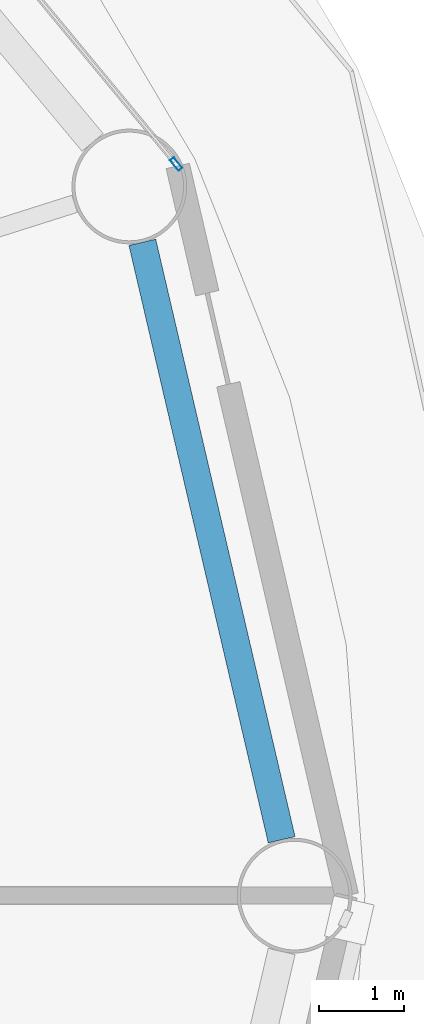
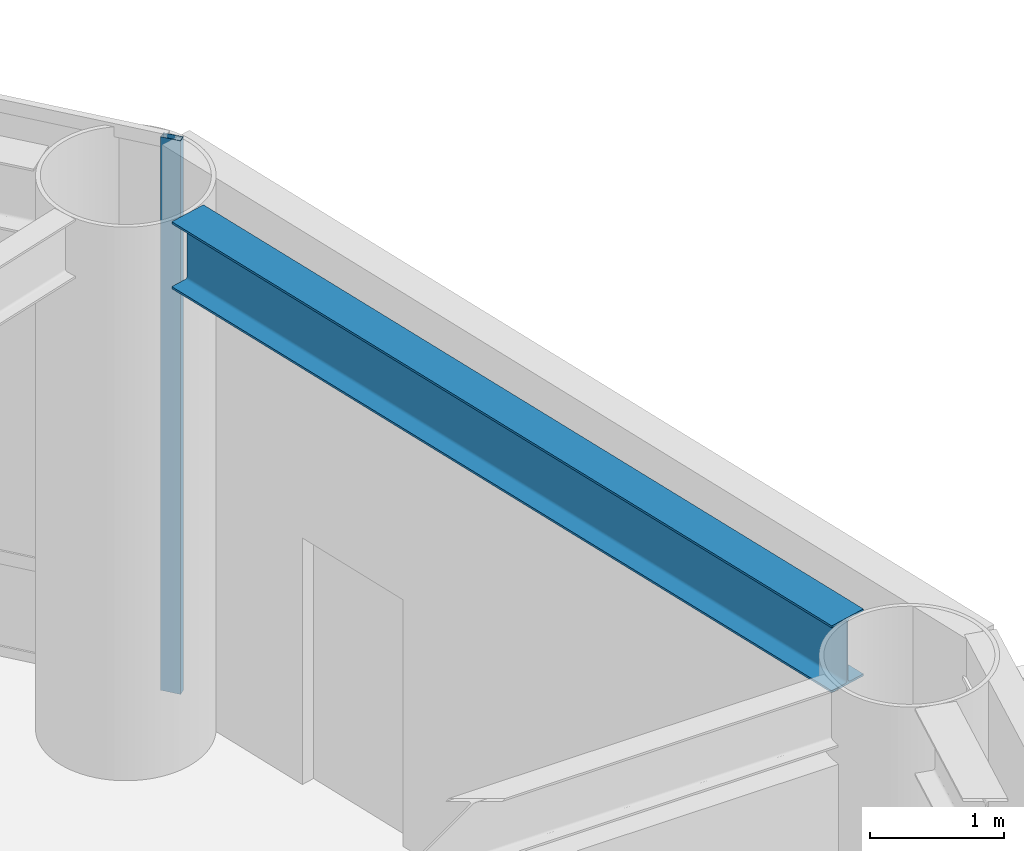
# One storey, part 9 of 25: 1 beam, 1 member, 1 element without a shape of its own.
"""IFC4 building model written with IfcOpenShell, lengths in metres."""

import ifcopenshell
import ifcopenshell.guid

model = None  # the IFC model being written
_history = None  # IfcOwnerHistory: only IFC2X3 demands one
_inside = {}  # id of a spatial element -> (the spatial element, [elements in it])
_under = {}  # id of a project, library or spatial element -> (it, [spatial elements below it])
_declared = {}  # id of a project -> (the project, [libraries it declares])
_typed = {}  # id of a type object -> (the type object, [elements of that type])
_made_of = {}  # id of a material, layer set ... -> (it, [elements and type objects made of it])


def new_model(schema):
    """Start an empty IFC model of exactly this schema.

    Asked for "IFC4X3", IfcOpenShell would pick the latest addendum, in which some entities
    have other attributes; the version numbers below select the first issue.
    IFC2X3 requires an IfcOwnerHistory on every rooted entity: one is made here for all.
    """
    global model, _history
    if schema == "IFC4X3":
        model = ifcopenshell.file(schema_version=(4, 3, 0, 0))
    else:
        model = ifcopenshell.file(schema=schema)
    _inside.clear()
    _under.clear()
    _declared.clear()
    _typed.clear()
    _made_of.clear()
    _history = None
    if model.schema == "IFC2X3":
        org = make("IfcOrganization", Name="unknown")
        user = make(
            "IfcPersonAndOrganization",
            ThePerson=make("IfcPerson", FamilyName="unknown"),
            TheOrganization=org,
        )
        app = make(
            "IfcApplication",
            ApplicationDeveloper=org,
            Version="unknown",
            ApplicationFullName="unknown",
            ApplicationIdentifier="unknown",
        )
        _history = make(
            "IfcOwnerHistory",
            OwningUser=user,
            OwningApplication=app,
            ChangeAction="ADDED",
            CreationDate=0,
        )
    return model


def make(cls, **values):
    """One entity of the class cls with the attributes given. An attribute that is None is left unset."""
    return model.create_entity(
        cls, **{name: value for name, value in values.items() if value is not None}
    )


def rooted(cls, **values):
    """An entity with a GlobalId (a new one), such as an element, a storey or a relation."""
    return make(cls, GlobalId=ifcopenshell.guid.new(), OwnerHistory=_history, **values)


def si_unit(unit_type, name, prefix=None):
    """IfcSIUnit, for example si_unit("LENGTHUNIT", "METRE", prefix="MILLI")."""
    return make("IfcSIUnit", UnitType=unit_type, Prefix=prefix, Name=name)


def assignment(units):
    """IfcUnitAssignment: the units of a project."""
    return None if units is None else make("IfcUnitAssignment", Units=units)


def point(xyz):
    """IfcCartesianPoint."""
    return None if xyz is None else make("IfcCartesianPoint", Coordinates=xyz)


def direction(xyz):
    """IfcDirection."""
    return None if xyz is None else make("IfcDirection", DirectionRatios=xyz)


def frame(location, z_axis=None, x_axis=None):
    """IfcAxis2Placement3D, a coordinate frame: its origin and axes. An axis left out is left unset."""
    return make(
        "IfcAxis2Placement3D",
        Location=point(location),
        Axis=direction(z_axis),
        RefDirection=direction(x_axis),
    )


def frame_2d(location, x_axis=None):
    """IfcAxis2Placement2D, a coordinate frame in the plane: its origin and x axis."""
    return make(
        "IfcAxis2Placement2D", Location=point(location), RefDirection=direction(x_axis)
    )


def origin():
    """The frame at (0, 0, 0) with its axes left unset."""
    return frame((0.0, 0.0, 0.0))


def origin_2d():
    """The frame at (0, 0) in the plane with its x axis left unset."""
    return frame_2d((0.0, 0.0))


def place(relative_to, where):
    """IfcLocalPlacement: puts the frame where relative to a parent placement (None: the world)."""
    return make(
        "IfcLocalPlacement", PlacementRelTo=relative_to, RelativePlacement=where
    )


def context(
    kind, dimensions, precision=None, world=None, true_north=None, identifier=None
):
    """IfcGeometricRepresentationContext, for example the 3D "Model" context."""
    return make(
        "IfcGeometricRepresentationContext",
        ContextIdentifier=identifier,
        ContextType=kind,
        CoordinateSpaceDimension=dimensions,
        Precision=precision,
        WorldCoordinateSystem=world,
        TrueNorth=true_north,
    )


def subcontext(parent, identifier, kind, view, scale=None):
    """IfcGeometricRepresentationSubContext, for example "Body" below "Model"."""
    return make(
        "IfcGeometricRepresentationSubContext",
        ContextIdentifier=identifier,
        ContextType=kind,
        ParentContext=parent,
        TargetScale=scale,
        TargetView=view,
    )


def project(units=None, contexts=None):
    """IfcProject with its units and contexts."""
    return rooted(
        "IfcProject",
        Name="project",
        RepresentationContexts=contexts,
        UnitsInContext=assignment(units),
    )


def spatial(cls, under=None, at=None, **own):
    """A site, building, storey or space (cls), placed at a placement, below another one or the project."""
    s = rooted(cls, ObjectPlacement=at, **own)
    if under is not None:
        _under.setdefault(under.id(), (under, []))[1].append(s)
    return s


def profile(cls, at=None, kind="AREA", **sizes):
    """A parametric profile (cls). Its sizes go by their IFC names, for example OverallWidth=200.0."""
    return make(cls, ProfileType=kind, Position=at, **sizes)


def hollow_rectangle(**sizes):
    """IfcRectangleHollowProfileDef."""
    return profile("IfcRectangleHollowProfileDef", **sizes)


def i_section(**sizes):
    """IfcIShapeProfileDef."""
    return profile("IfcIShapeProfileDef", **sizes)


def extrude(swept, where, along, depth):
    """IfcExtrudedAreaSolid: the profile swept, set in the frame where, extruded along a direction by depth."""
    return make(
        "IfcExtrudedAreaSolid",
        SweptArea=swept,
        Position=where,
        ExtrudedDirection=direction(along),
        Depth=depth,
    )


def shape(context_of_items, identifier, shape_type, items):
    """IfcShapeRepresentation: the items that make up one representation, for example the "Body"."""
    return make(
        "IfcShapeRepresentation",
        ContextOfItems=context_of_items,
        RepresentationIdentifier=identifier,
        RepresentationType=shape_type,
        Items=items,
    )


def material(Name=None, Category=None):
    """IfcMaterial."""
    return make("IfcMaterial", Name=Name, Category=Category)


def layer(
    of_material, thickness, ventilated=None, Name=None, Category=None, Priority=None
):
    """IfcMaterialLayer: one layer of a wall or slab, of a material (None: an air gap)."""
    return make(
        "IfcMaterialLayer",
        Material=of_material,
        LayerThickness=thickness,
        IsVentilated=ventilated,
        Name=Name,
        Category=Category,
        Priority=Priority,
    )


def layer_set(layers, Name=None):
    """IfcMaterialLayerSet."""
    return make("IfcMaterialLayerSet", MaterialLayers=layers, LayerSetName=Name)


def material_profile(
    of_material, cross_section, Name=None, Category=None, Priority=None
):
    """IfcMaterialProfile: a cross section and its material."""
    return make(
        "IfcMaterialProfile",
        Name=Name,
        Material=of_material,
        Profile=cross_section,
        Priority=Priority,
        Category=Category,
    )


def profile_set(profiles, Name=None, composite=None):
    """IfcMaterialProfileSet."""
    return make(
        "IfcMaterialProfileSet",
        Name=Name,
        MaterialProfiles=profiles,
        CompositeProfile=composite,
    )


def made_of(thing, what):
    """Note that an element or type object is made of a material, layer set ...; save() writes the relation."""
    if what is not None:
        _made_of.setdefault(what.id(), (what, []))[1].append(thing)
    return thing


def type_object(cls, material=None, **own):
    """A type object (cls), such as IfcWallType, which elements share."""
    return made_of(rooted(cls, **own), material)


def element(
    cls,
    number,
    at=None,
    inside=None,
    cuts=None,
    type_object=None,
    material=None,
    context=None,
    identifier="Body",
    shape_type=None,
    held_by="IfcProductDefinitionShape",
    body=None,
    shapes=None,
    **own,
):
    """One element of the class cls, such as IfcWall. Its Tag is "e" and its number.

    at: its placement. inside: the storey or other place that contains it. cuts: it is an
    opening in that element (IfcRelVoidsElement). A single representation is given by context,
    identifier, shape_type and body (its items); several are given by shapes. held_by: the class
    of the entity that holds the representations. save() writes the other relations.
    """
    e = rooted(cls, Tag="e%d" % number, ObjectPlacement=at, **own)
    if body is not None:
        shapes = [shape(context, identifier, shape_type, body)]
    if shapes is not None:
        e.Representation = make(held_by, Representations=shapes)
    if inside is not None:
        _inside.setdefault(inside.id(), (inside, []))[1].append(e)
    if cuts is not None:
        rooted(
            "IfcRelVoidsElement", RelatingBuildingElement=cuts, RelatedOpeningElement=e
        )
    if type_object is not None:
        _typed.setdefault(type_object.id(), (type_object, []))[1].append(e)
    return made_of(e, material)


def aggregate(whole, parts):
    """IfcRelAggregates: a whole, such as a stair, and the parts it consists of."""
    return rooted("IfcRelAggregates", RelatingObject=whole, RelatedObjects=parts)


def save(model, path):
    """Write the relations noted so far, then the file.

    IfcRelAggregates (storeys below a building ...), IfcRelContainedInSpatialStructure (elements
    in a storey), IfcRelDefinesByType, IfcRelAssociatesMaterial and IfcRelDeclares: one each for
    every whole, place, type object, material and project.
    """
    for whole, parts in _under.values():
        aggregate(whole, parts)
    for where, things in _inside.values():
        rooted(
            "IfcRelContainedInSpatialStructure",
            RelatedElements=things,
            RelatingStructure=where,
        )
    for kind, things in _typed.values():
        rooted("IfcRelDefinesByType", RelatedObjects=things, RelatingType=kind)
    for what, things in _made_of.values():
        rooted("IfcRelAssociatesMaterial", RelatedObjects=things, RelatingMaterial=what)
    for by, libraries in _declared.values():
        rooted("IfcRelDeclares", RelatingContext=by, RelatedDefinitions=libraries)
    model.write(path)


model = new_model("IFC4")

# Units and contexts
model_context = context("Model", 3, precision=1e-05, world=origin(), true_north=direction((0.0, 1.0)))
body_context = subcontext(model_context, "Body", "Model", "MODEL_VIEW")
ifc_project = project(units=[si_unit("LENGTHUNIT", "METRE"), si_unit("AREAUNIT", "SQUARE_METRE"), si_unit("VOLUMEUNIT", "CUBIC_METRE"), si_unit("PLANEANGLEUNIT", "RADIAN"), si_unit("MASSUNIT", "GRAM", prefix="KILO")], contexts=[model_context])

# Site, building, storey
site_placement = place(None, origin())
site = spatial("IfcSite", under=ifc_project, at=site_placement, CompositionType="ELEMENT")
building_placement = place(site_placement, origin())
building = spatial("IfcBuilding", under=site, at=building_placement, Name="Sarneth Arch Tower", CompositionType="ELEMENT")
storey_placement = place(building_placement, frame((0.0, 0.0, 134.39990234375)))
storey = spatial("IfcBuildingStorey", under=building, at=storey_placement, Name="L34", CompositionType="ELEMENT", Elevation=134.39990234375)

# Beam
ifc_material_1 = material(Name="Steel S355", Category="steel")
ifc_material_profile_1 = material_profile(ifc_material_1, i_section(OverallWidth=0.323974609375, OverallDepth=0.611083984375, WebThickness=0.0126953125, FlangeThickness=0.01904296875, FilletRadius=0.01904296875, at=origin_2d()), Name="W610x155")
ifc_profile_set_1 = profile_set([ifc_material_profile_1], Name="Steel S355")
beam_type = type_object("IfcBeamType", Name="BM-SPAN-610B", PredefinedType="SPANDREL", material=ifc_profile_set_1)
beam_placement = place(storey_placement, frame((76.083251953125, 42.657470703125, 4.74462890625), z_axis=(-0.22708522689, 0.973874889156, 0.0), x_axis=(-0.973874889156, -0.22708522689, 0.0)))
element("IfcBeam", 1, at=beam_placement, inside=storey, type_object=beam_type, Name="L34 Perimeter spandrel beam 01", PredefinedType="SPANDREL", context=body_context, shape_type="SweptSolid", body=[
    extrude(i_section(OverallWidth=0.323974609375, OverallDepth=0.611083984375, WebThickness=0.0126953125, FlangeThickness=0.01904296875, FilletRadius=0.01904296875, at=origin_2d()), origin(), (0.0, 0.0, 1.0), 7.216064453125),
])

# Curtain wall, member
ifc_material_2 = material(Name="Anodised aluminium Type AA25 and solar-control low-e laminated IGU", Category="aluminium")
ifc_layer = layer(ifc_material_2, 0.159912109375)
ifc_layer_set = layer_set([ifc_layer], Name="Anodised aluminium Type AA25 and solar-control low-e laminated IGU")
curtain_wall_type = type_object("IfcCurtainWallType", Name="CW-HOTEL-MID", PredefinedType="NOTDEFINED", material=ifc_layer_set)
curtain_wall_placement = place(storey_placement, origin())
curtain_wall = element("IfcCurtainWall", 2, at=curtain_wall_placement, inside=storey, type_object=curtain_wall_type, Name="L34 Unitised curtain wall facet 02", PredefinedType="NOTDEFINED")
ifc_material_3 = material(Name="Anodised Aluminium 6063-T6", Category="aluminium")
ifc_material_profile_2 = material_profile(ifc_material_3, hollow_rectangle(XDim=0.06005859375, YDim=0.159912109375, WallThickness=0.00390625, at=origin_2d()), Name="AL-MULL-160x60x4")
ifc_profile_set_2 = profile_set([ifc_material_profile_2], Name="Anodised Aluminium 6063-T6")
member_type = type_object("IfcMemberType", Name="CW-MULLION", PredefinedType="MULLION", material=ifc_profile_set_2)
member_placement = place(storey_placement, frame((74.84228515625, 50.606689453125, 0.0), z_axis=(0.0, 0.0, 1.0), x_axis=(-0.770437787363, -0.637515188684, 0.0)))
member = element("IfcMember", 3, at=member_placement, type_object=member_type, Name="CW-SYS-4 mullion 1", PredefinedType="MULLION", context=body_context, shape_type="SweptSolid", body=[
    extrude(hollow_rectangle(XDim=0.06005859375, YDim=0.159912109375, WallThickness=0.00390625, at=origin_2d()), origin(), (0.0, 0.0, 1.0), 5.050048828125),
])
aggregate(curtain_wall, [member])

save(model, "model.ifc")
